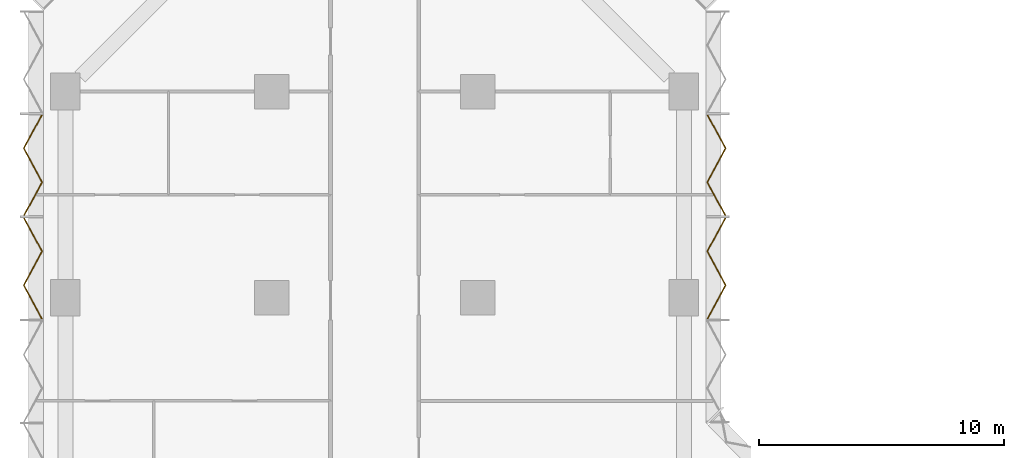
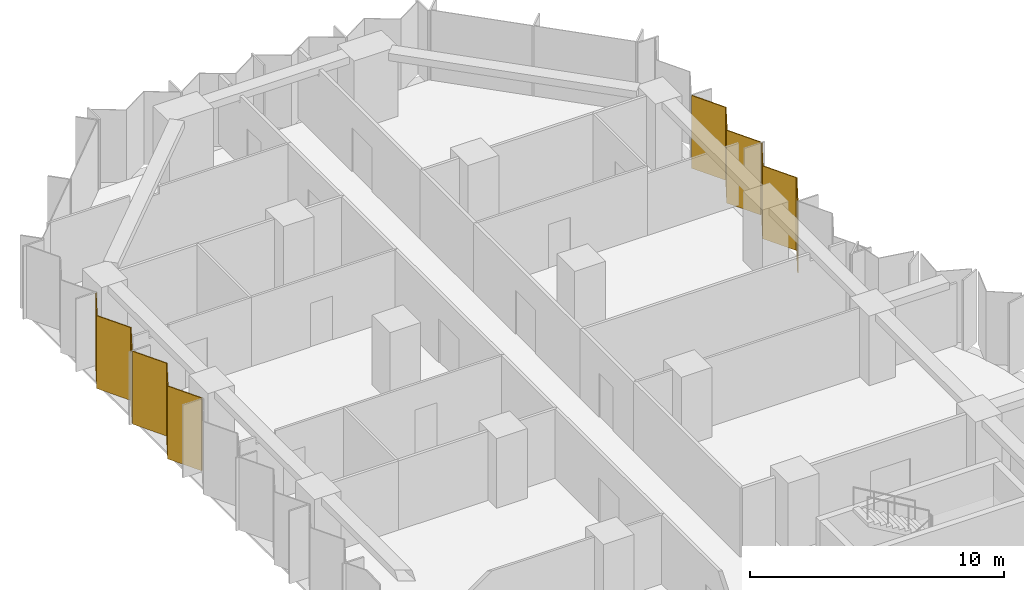
# One storey, part 15 of 15: 4 coverings, 2 elements without a shape of their own.
"""IFC4 building model written with IfcOpenShell, lengths in metres."""

from ifc_helpers import new_model, si_unit, direction, frame, origin, place, context, subcontext, project, spatial, polyline, outline, extrude, material, layer, layer_set, type_object, element, aggregate, save


model = new_model("IFC4")

# Units and contexts
model_context = context("Model", 3, precision=1e-05, world=origin(), true_north=direction((0.0, 1.0)))
body_context = subcontext(model_context, "Body", "Model", "MODEL_VIEW")
ifc_project = project(units=[si_unit("LENGTHUNIT", "METRE"), si_unit("AREAUNIT", "SQUARE_METRE"), si_unit("VOLUMEUNIT", "CUBIC_METRE"), si_unit("PLANEANGLEUNIT", "RADIAN"), si_unit("MASSUNIT", "GRAM", prefix="KILO")], contexts=[model_context])

# Site, building, storey
site_placement = place(None, origin())
site = spatial("IfcSite", under=ifc_project, at=site_placement, CompositionType="ELEMENT")
building_placement = place(site_placement, origin())
building = spatial("IfcBuilding", under=site, at=building_placement, Name="Brevane Broadcast Tower", CompositionType="ELEMENT")
storey_placement = place(building_placement, frame((0.0, 0.0, 65.300048828125)))
storey = spatial("IfcBuildingStorey", under=building, at=storey_placement, Name="L14", CompositionType="ELEMENT", Elevation=65.300048828125)

# Curtain wall, coverings
ifc_material_1 = material(Name="Aluminium 6063-T6 bronze anodised", Category="aluminium")
curtain_wall_type = type_object("IfcCurtainWallType", Name="CW-1 curtain wall", PredefinedType="NOTDEFINED", material=ifc_material_1)
curtain_wall_1_placement = place(storey_placement, origin())
curtain_wall_1 = element("IfcCurtainWall", 1, at=curtain_wall_1_placement, inside=storey, type_object=curtain_wall_type, Name="CW-1 typical tilted unit L14 north arm east face", PredefinedType="NOTDEFINED")
ifc_material_2 = material(Name="Back-painted bronze glass shadow-box", Category="glass")
ifc_layer = layer(ifc_material_2, 0.0400390625)
ifc_layer_set = layer_set([ifc_layer], Name="Shadow-box panel 40")
covering_type = type_object("IfcCoveringType", Name="Shadow-box panel 40", PredefinedType="CLADDING", material=ifc_layer_set)
covering_1_placement = place(storey_placement, frame((0.0, 0.0, -0.150146484375)))
covering_1 = element("IfcCovering", 2, at=covering_1_placement, type_object=covering_type, Name="Shadow-box panel", PredefinedType="CLADDING", context=body_context, shape_type="SweptSolid", body=[
    extrude(outline(polyline([(26.127197265625, 49.534912109375), (26.172607421875, 49.534912109375), (26.9169921875, 50.91162109375), (26.172607421875, 52.288330078125), (26.9169921875, 53.6650390625), (26.87158203125, 53.6650390625), (26.127197265625, 52.288330078125), (26.87158203125, 50.91162109375), (26.127197265625, 49.534912109375)])), origin(), (0.0, 0.0, 1.0), 3.5),
])
covering_2_placement = place(storey_placement, frame((0.0, 0.0, -0.150146484375)))
covering_2 = element("IfcCovering", 3, at=covering_2_placement, type_object=covering_type, Name="Shadow-box panel", PredefinedType="CLADDING", context=body_context, shape_type="SweptSolid", body=[
    extrude(outline(polyline([(26.87158203125, 53.735107421875), (26.9169921875, 53.735107421875), (26.172607421875, 55.11181640625), (26.9169921875, 56.48828125), (26.172607421875, 57.864990234375), (26.127197265625, 57.864990234375), (26.87158203125, 56.48828125), (26.127197265625, 55.11181640625), (26.87158203125, 53.735107421875)])), origin(), (0.0, 0.0, 1.0), 3.5),
])
aggregate(curtain_wall_1, [covering_1, covering_2])

curtain_wall_2_placement = place(storey_placement, origin())
curtain_wall_2 = element("IfcCurtainWall", 4, at=curtain_wall_2_placement, inside=storey, type_object=curtain_wall_type, Name="CW-1 typical tilted unit L14 west face", PredefinedType="NOTDEFINED")
covering_3_placement = place(storey_placement, frame((0.0, 0.0, -0.150146484375)))
covering_3 = element("IfcCovering", 5, at=covering_3_placement, type_object=covering_type, Name="Shadow-box panel", PredefinedType="CLADDING", context=body_context, shape_type="SweptSolid", body=[
    extrude(outline(polyline([(-0.92724609375, 57.864990234375), (-0.97265625, 57.864990234375), (-1.717041015625, 56.48828125), (-0.97265625, 55.11181640625), (-1.717041015625, 53.735107421875), (-1.671630859375, 53.735107421875), (-0.92724609375, 55.11181640625), (-1.671630859375, 56.48828125), (-0.92724609375, 57.864990234375)])), origin(), (0.0, 0.0, 1.0), 3.5),
])
covering_4_placement = place(storey_placement, frame((0.0, 0.0, -0.150146484375)))
covering_4 = element("IfcCovering", 6, at=covering_4_placement, type_object=covering_type, Name="Shadow-box panel", PredefinedType="CLADDING", context=body_context, shape_type="SweptSolid", body=[
    extrude(outline(polyline([(-1.671630859375, 53.6650390625), (-1.717041015625, 53.6650390625), (-0.97265625, 52.288330078125), (-1.717041015625, 50.91162109375), (-0.97265625, 49.534912109375), (-0.92724609375, 49.534912109375), (-1.671630859375, 50.91162109375), (-0.92724609375, 52.288330078125), (-1.671630859375, 53.6650390625)])), origin(), (0.0, 0.0, 1.0), 3.5),
])
aggregate(curtain_wall_2, [covering_3, covering_4])

save(model, "model.ifc")
